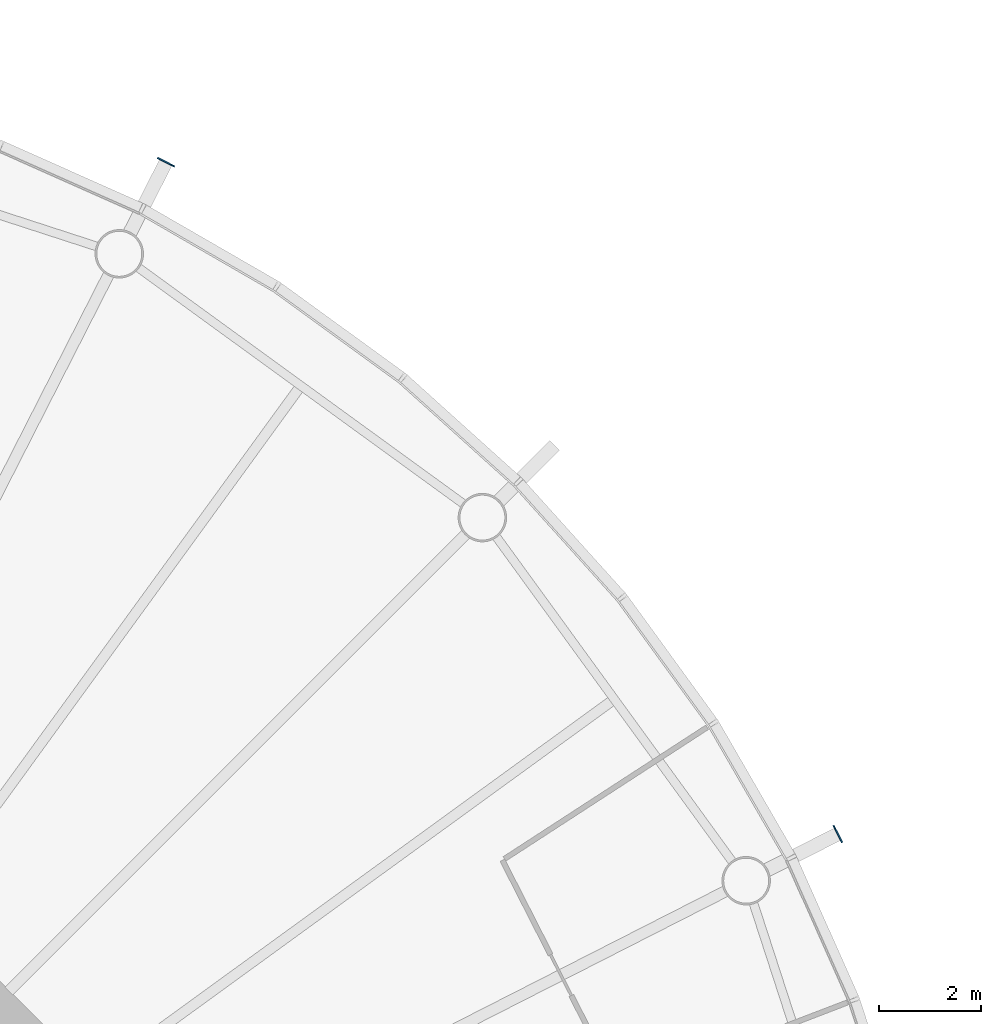
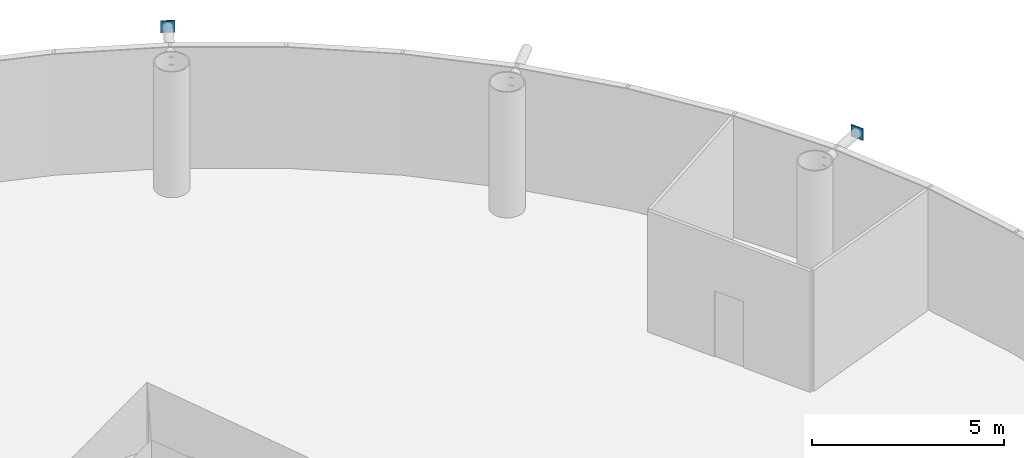
# One storey, part 9 of 16: 2 discrete accessories.
"""IFC4 building model written with IfcOpenShell, lengths in metres."""

from ifc_helpers import new_model, si_unit, direction, frame, origin, origin_2d, place, context, subcontext, project, spatial, rectangle, extrude, material, element, save


model = new_model("IFC4")

# Units and contexts
model_context = context("Model", 3, precision=1e-05, world=origin(), true_north=direction((0.0, 1.0)))
body_context = subcontext(model_context, "Body", "Model", "MODEL_VIEW")
ifc_project = project(units=[si_unit("LENGTHUNIT", "METRE"), si_unit("AREAUNIT", "SQUARE_METRE"), si_unit("VOLUMEUNIT", "CUBIC_METRE"), si_unit("PLANEANGLEUNIT", "RADIAN"), si_unit("MASSUNIT", "GRAM", prefix="KILO")], contexts=[model_context])

# Site, building, storey
site_placement = place(None, origin())
site = spatial("IfcSite", under=ifc_project, at=site_placement, CompositionType="ELEMENT")
building_placement = place(site_placement, origin())
building = spatial("IfcBuilding", under=site, at=building_placement, Name="Entoto Ring Tower", CompositionType="ELEMENT")
storey_placement = place(building_placement, frame((0.0, 0.0, 326.0)))
storey = spatial("IfcBuildingStorey", under=building, at=storey_placement, Name="L75", CompositionType="ELEMENT", Elevation=326.0)

# Discrete accessories
ifc_material = material(Name="Steel S355", Category="steel")
for number, where, z_axis, x_axis, name in (
    (1, (116.832763671875, 93.671875, 3.52685546875), (0.0, 0.0, 1.0), (0.891006524188, 0.45399049974, 0.0), "Node strut end plate DS2 ring 24 02"),
    (2, (103.671875, 106.832763671875, 3.52685546875), (0.0, 0.0, 1.0), (0.45399049974, 0.891006524188, 0.0), "Node strut end plate DS2 ring 24 04"),
):
    element("IfcDiscreteAccessory", number, at=place(storey_placement, frame(where, z_axis=z_axis, x_axis=x_axis)), inside=storey, material=ifc_material, Name=name, PredefinedType="BRACKET", context=body_context, shape_type="SweptSolid", body=[
        extrude(rectangle(XDim=0.030029296875, YDim=0.373046875, at=origin_2d()), origin(), (0.0, 0.0, 1.0), 0.373046875),
    ])

save(model, "model.ifc")
